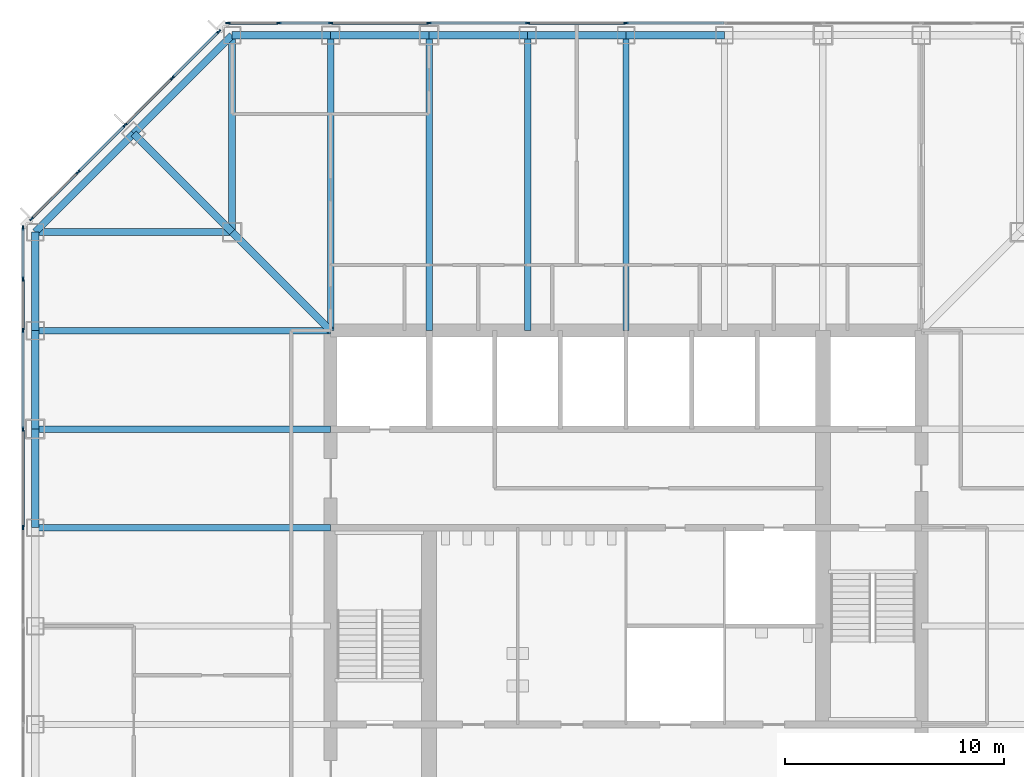
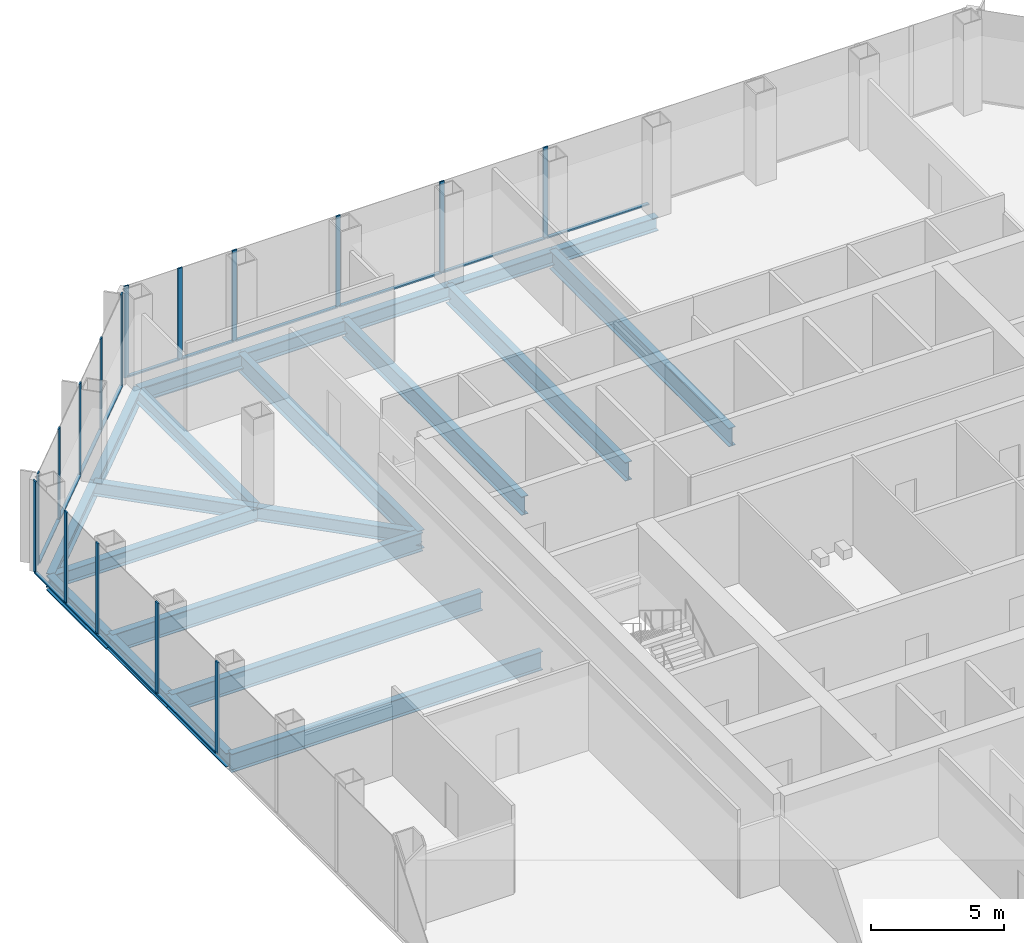
# One storey, part 5 of 13: 30 members, 21 beams, 3 elements without a shape of their own.
"""IFC4 building model written with IfcOpenShell, lengths in metres."""

import ifcopenshell
import ifcopenshell.guid

model = None  # the IFC model being written
_history = None  # IfcOwnerHistory: only IFC2X3 demands one
_inside = {}  # id of a spatial element -> (the spatial element, [elements in it])
_under = {}  # id of a project, library or spatial element -> (it, [spatial elements below it])
_declared = {}  # id of a project -> (the project, [libraries it declares])
_typed = {}  # id of a type object -> (the type object, [elements of that type])
_made_of = {}  # id of a material, layer set ... -> (it, [elements and type objects made of it])


def new_model(schema):
    """Start an empty IFC model of exactly this schema.

    Asked for "IFC4X3", IfcOpenShell would pick the latest addendum, in which some entities
    have other attributes; the version numbers below select the first issue.
    IFC2X3 requires an IfcOwnerHistory on every rooted entity: one is made here for all.
    """
    global model, _history
    if schema == "IFC4X3":
        model = ifcopenshell.file(schema_version=(4, 3, 0, 0))
    else:
        model = ifcopenshell.file(schema=schema)
    _inside.clear()
    _under.clear()
    _declared.clear()
    _typed.clear()
    _made_of.clear()
    _history = None
    if model.schema == "IFC2X3":
        org = make("IfcOrganization", Name="unknown")
        user = make(
            "IfcPersonAndOrganization",
            ThePerson=make("IfcPerson", FamilyName="unknown"),
            TheOrganization=org,
        )
        app = make(
            "IfcApplication",
            ApplicationDeveloper=org,
            Version="unknown",
            ApplicationFullName="unknown",
            ApplicationIdentifier="unknown",
        )
        _history = make(
            "IfcOwnerHistory",
            OwningUser=user,
            OwningApplication=app,
            ChangeAction="ADDED",
            CreationDate=0,
        )
    return model


def make(cls, **values):
    """One entity of the class cls with the attributes given. An attribute that is None is left unset."""
    return model.create_entity(
        cls, **{name: value for name, value in values.items() if value is not None}
    )


def rooted(cls, **values):
    """An entity with a GlobalId (a new one), such as an element, a storey or a relation."""
    return make(cls, GlobalId=ifcopenshell.guid.new(), OwnerHistory=_history, **values)


def si_unit(unit_type, name, prefix=None):
    """IfcSIUnit, for example si_unit("LENGTHUNIT", "METRE", prefix="MILLI")."""
    return make("IfcSIUnit", UnitType=unit_type, Prefix=prefix, Name=name)


def assignment(units):
    """IfcUnitAssignment: the units of a project."""
    return None if units is None else make("IfcUnitAssignment", Units=units)


def point(xyz):
    """IfcCartesianPoint."""
    return None if xyz is None else make("IfcCartesianPoint", Coordinates=xyz)


def direction(xyz):
    """IfcDirection."""
    return None if xyz is None else make("IfcDirection", DirectionRatios=xyz)


def frame(location, z_axis=None, x_axis=None):
    """IfcAxis2Placement3D, a coordinate frame: its origin and axes. An axis left out is left unset."""
    return make(
        "IfcAxis2Placement3D",
        Location=point(location),
        Axis=direction(z_axis),
        RefDirection=direction(x_axis),
    )


def frame_2d(location, x_axis=None):
    """IfcAxis2Placement2D, a coordinate frame in the plane: its origin and x axis."""
    return make(
        "IfcAxis2Placement2D", Location=point(location), RefDirection=direction(x_axis)
    )


def origin():
    """The frame at (0, 0, 0) with its axes left unset."""
    return frame((0.0, 0.0, 0.0))


def origin_2d():
    """The frame at (0, 0) in the plane with its x axis left unset."""
    return frame_2d((0.0, 0.0))


def place(relative_to, where):
    """IfcLocalPlacement: puts the frame where relative to a parent placement (None: the world)."""
    return make(
        "IfcLocalPlacement", PlacementRelTo=relative_to, RelativePlacement=where
    )


def context(
    kind, dimensions, precision=None, world=None, true_north=None, identifier=None
):
    """IfcGeometricRepresentationContext, for example the 3D "Model" context."""
    return make(
        "IfcGeometricRepresentationContext",
        ContextIdentifier=identifier,
        ContextType=kind,
        CoordinateSpaceDimension=dimensions,
        Precision=precision,
        WorldCoordinateSystem=world,
        TrueNorth=true_north,
    )


def subcontext(parent, identifier, kind, view, scale=None):
    """IfcGeometricRepresentationSubContext, for example "Body" below "Model"."""
    return make(
        "IfcGeometricRepresentationSubContext",
        ContextIdentifier=identifier,
        ContextType=kind,
        ParentContext=parent,
        TargetScale=scale,
        TargetView=view,
    )


def project(units=None, contexts=None):
    """IfcProject with its units and contexts."""
    return rooted(
        "IfcProject",
        Name="project",
        RepresentationContexts=contexts,
        UnitsInContext=assignment(units),
    )


def spatial(cls, under=None, at=None, **own):
    """A site, building, storey or space (cls), placed at a placement, below another one or the project."""
    s = rooted(cls, ObjectPlacement=at, **own)
    if under is not None:
        _under.setdefault(under.id(), (under, []))[1].append(s)
    return s


def profile(cls, at=None, kind="AREA", **sizes):
    """A parametric profile (cls). Its sizes go by their IFC names, for example OverallWidth=200.0."""
    return make(cls, ProfileType=kind, Position=at, **sizes)


def rectangle(**sizes):
    """IfcRectangleProfileDef."""
    return profile("IfcRectangleProfileDef", **sizes)


def i_section(**sizes):
    """IfcIShapeProfileDef."""
    return profile("IfcIShapeProfileDef", **sizes)


def extrude(swept, where, along, depth):
    """IfcExtrudedAreaSolid: the profile swept, set in the frame where, extruded along a direction by depth."""
    return make(
        "IfcExtrudedAreaSolid",
        SweptArea=swept,
        Position=where,
        ExtrudedDirection=direction(along),
        Depth=depth,
    )


def shape(context_of_items, identifier, shape_type, items):
    """IfcShapeRepresentation: the items that make up one representation, for example the "Body"."""
    return make(
        "IfcShapeRepresentation",
        ContextOfItems=context_of_items,
        RepresentationIdentifier=identifier,
        RepresentationType=shape_type,
        Items=items,
    )


def material(Name=None, Category=None):
    """IfcMaterial."""
    return make("IfcMaterial", Name=Name, Category=Category)


def material_profile(
    of_material, cross_section, Name=None, Category=None, Priority=None
):
    """IfcMaterialProfile: a cross section and its material."""
    return make(
        "IfcMaterialProfile",
        Name=Name,
        Material=of_material,
        Profile=cross_section,
        Priority=Priority,
        Category=Category,
    )


def profile_set(profiles, Name=None, composite=None):
    """IfcMaterialProfileSet."""
    return make(
        "IfcMaterialProfileSet",
        Name=Name,
        MaterialProfiles=profiles,
        CompositeProfile=composite,
    )


def made_of(thing, what):
    """Note that an element or type object is made of a material, layer set ...; save() writes the relation."""
    if what is not None:
        _made_of.setdefault(what.id(), (what, []))[1].append(thing)
    return thing


def type_object(cls, material=None, **own):
    """A type object (cls), such as IfcWallType, which elements share."""
    return made_of(rooted(cls, **own), material)


def element(
    cls,
    number,
    at=None,
    inside=None,
    cuts=None,
    type_object=None,
    material=None,
    context=None,
    identifier="Body",
    shape_type=None,
    held_by="IfcProductDefinitionShape",
    body=None,
    shapes=None,
    **own,
):
    """One element of the class cls, such as IfcWall. Its Tag is "e" and its number.

    at: its placement. inside: the storey or other place that contains it. cuts: it is an
    opening in that element (IfcRelVoidsElement). A single representation is given by context,
    identifier, shape_type and body (its items); several are given by shapes. held_by: the class
    of the entity that holds the representations. save() writes the other relations.
    """
    e = rooted(cls, Tag="e%d" % number, ObjectPlacement=at, **own)
    if body is not None:
        shapes = [shape(context, identifier, shape_type, body)]
    if shapes is not None:
        e.Representation = make(held_by, Representations=shapes)
    if inside is not None:
        _inside.setdefault(inside.id(), (inside, []))[1].append(e)
    if cuts is not None:
        rooted(
            "IfcRelVoidsElement", RelatingBuildingElement=cuts, RelatedOpeningElement=e
        )
    if type_object is not None:
        _typed.setdefault(type_object.id(), (type_object, []))[1].append(e)
    return made_of(e, material)


def aggregate(whole, parts):
    """IfcRelAggregates: a whole, such as a stair, and the parts it consists of."""
    return rooted("IfcRelAggregates", RelatingObject=whole, RelatedObjects=parts)


def save(model, path):
    """Write the relations noted so far, then the file.

    IfcRelAggregates (storeys below a building ...), IfcRelContainedInSpatialStructure (elements
    in a storey), IfcRelDefinesByType, IfcRelAssociatesMaterial and IfcRelDeclares: one each for
    every whole, place, type object, material and project.
    """
    for whole, parts in _under.values():
        aggregate(whole, parts)
    for where, things in _inside.values():
        rooted(
            "IfcRelContainedInSpatialStructure",
            RelatedElements=things,
            RelatingStructure=where,
        )
    for kind, things in _typed.values():
        rooted("IfcRelDefinesByType", RelatedObjects=things, RelatingType=kind)
    for what, things in _made_of.values():
        rooted("IfcRelAssociatesMaterial", RelatedObjects=things, RelatingMaterial=what)
    for by, libraries in _declared.values():
        rooted("IfcRelDeclares", RelatingContext=by, RelatedDefinitions=libraries)
    model.write(path)


model = new_model("IFC4")

# Units and contexts
model_context = context("Model", 3, precision=1e-05, world=origin(), true_north=direction((0.0, 1.0)))
body_context = subcontext(model_context, "Body", "Model", "MODEL_VIEW")
ifc_project = project(units=[si_unit("LENGTHUNIT", "METRE"), si_unit("AREAUNIT", "SQUARE_METRE"), si_unit("VOLUMEUNIT", "CUBIC_METRE"), si_unit("PLANEANGLEUNIT", "RADIAN"), si_unit("MASSUNIT", "GRAM", prefix="KILO")], contexts=[model_context])

# Site, building, storey
site_placement = place(None, origin())
site = spatial("IfcSite", under=ifc_project, at=site_placement, CompositionType="ELEMENT")
building_placement = place(site_placement, origin())
building = spatial("IfcBuilding", under=site, at=building_placement, Name="Corais Broadcast Tower", CompositionType="ELEMENT")
storey_placement = place(building_placement, frame((0.0, 0.0, 66.800048828125)))
storey = spatial("IfcBuildingStorey", under=building, at=storey_placement, Name="L14", CompositionType="ELEMENT", Elevation=66.800048828125)

# Beams
ifc_material_1 = material(Name="Steel ASTM A572 Grade 50", Category="steel")
ifc_material_profile_1 = material_profile(ifc_material_1, i_section(OverallWidth=0.323974609375, OverallDepth=0.611083984375, WebThickness=0.0126953125, FlangeThickness=0.01904296875, at=origin_2d()), Name="W610x155")
ifc_profile_set_1 = profile_set([ifc_material_profile_1], Name="Steel ASTM A572 Grade 50")
beam_type_1 = type_object("IfcBeamType", Name="Chamfer tie W610x155", PredefinedType="BEAM", material=ifc_profile_set_1)
beam_1_placement = place(storey_placement, frame((4.5, 49.5, -0.465576171875), z_axis=(0.707106781187, -0.707106781187, 0.0), x_axis=(0.707106781187, 0.707106781187, 0.0)))
element("IfcBeam", 1, at=beam_1_placement, inside=storey, type_object=beam_type_1, Name="B5 M/4 to L/5", PredefinedType="BEAM", context=body_context, shape_type="SweptSolid", body=[
    extrude(i_section(OverallWidth=0.323974609375, OverallDepth=0.611083984375, WebThickness=0.0126953125, FlangeThickness=0.01904296875, at=origin_2d()), origin(), (0.0, 0.0, 1.0), 6.364013671875),
])
ifc_material_2 = material(Name="Steel ASTM A572 Grade 50", Category="steel")
ifc_material_profile_2 = material_profile(ifc_material_2, i_section(OverallWidth=0.323974609375, OverallDepth=0.611083984375, WebThickness=0.0126953125, FlangeThickness=0.01904296875, at=origin_2d()), Name="W610x155")
ifc_profile_set_2 = profile_set([ifc_material_profile_2], Name="Steel ASTM A572 Grade 50")
beam_type_2 = type_object("IfcBeamType", Name="Corner diagonal W610x155", PredefinedType="BEAM", material=ifc_profile_set_2)
beam_2_placement = place(storey_placement, frame((9.0, 45.0, -0.465576171875), z_axis=(0.707106781187, -0.707106781187, 0.0), x_axis=(0.707106781187, 0.707106781187, 0.0)))
element("IfcBeam", 2, at=beam_2_placement, inside=storey, type_object=beam_type_2, Name="B6 L/5 to K/6", PredefinedType="BEAM", context=body_context, shape_type="SweptSolid", body=[
    extrude(i_section(OverallWidth=0.323974609375, OverallDepth=0.611083984375, WebThickness=0.0126953125, FlangeThickness=0.01904296875, at=origin_2d()), origin(), (0.0, 0.0, 1.0), 6.364013671875),
])
ifc_material_3 = material(Name="Steel ASTM A572 Grade 50", Category="steel")
ifc_material_profile_3 = material_profile(ifc_material_3, i_section(OverallWidth=0.323974609375, OverallDepth=0.611083984375, WebThickness=0.0126953125, FlangeThickness=0.01904296875, at=origin_2d()), Name="W610x155")
ifc_profile_set_3 = profile_set([ifc_material_profile_3], Name="Steel ASTM A572 Grade 50")
beam_type_3 = type_object("IfcBeamType", Name="Corner girder W610x155", PredefinedType="BEAM", material=ifc_profile_set_3)
for number, where, z_axis, x_axis, name in (
    (3, (0.0, 45.0, -0.465576171875), (1.0, 0.0, 0.0), (0.0, 1.0, 0.0), "B4 L/3 to L/5"),
    (4, (9.0, 54.0, -0.465576171875), (0.0, -1.0, 0.0), (1.0, 0.0, 0.0), "B4 N/5 to L/5"),
):
    element("IfcBeam", number, at=place(storey_placement, frame(where, z_axis=z_axis, x_axis=x_axis)), inside=storey, type_object=beam_type_3, Name=name, PredefinedType="BEAM", context=body_context, shape_type="SweptSolid", body=[
        extrude(i_section(OverallWidth=0.323974609375, OverallDepth=0.611083984375, WebThickness=0.0126953125, FlangeThickness=0.01904296875, at=origin_2d()), origin(), (0.0, 0.0, 1.0), 9.0),
    ])
ifc_material_4 = material(Name="Steel ASTM A572 Grade 50", Category="steel")
ifc_material_profile_4 = material_profile(ifc_material_4, i_section(OverallWidth=0.337890625, OverallDepth=0.677978515625, WebThickness=0.029541015625, FlangeThickness=0.052978515625, at=origin_2d()), Name="W610x415")
ifc_profile_set_4 = profile_set([ifc_material_profile_4], Name="Steel ASTM A572 Grade 50")
beam_type_4 = type_object("IfcBeamType", Name="Corner spandrel W610x415", PredefinedType="BEAM", material=ifc_profile_set_4)
for number, where, z_axis, x_axis, name in (
    (5, (0.0, 45.0, -0.4990234375), (0.0, -1.0, 0.0), (1.0, 0.0, 0.0), "SB10 L/3 to K/3"),
    (6, (13.5, 54.0, -0.4990234375), (-1.0, 0.0, 0.0), (0.0, -1.0, 0.0), "SB10 N/6 to N/5"),
):
    element("IfcBeam", number, at=place(storey_placement, frame(where, z_axis=z_axis, x_axis=x_axis)), inside=storey, type_object=beam_type_4, Name=name, PredefinedType="BEAM", context=body_context, shape_type="SweptSolid", body=[
        extrude(i_section(OverallWidth=0.337890625, OverallDepth=0.677978515625, WebThickness=0.029541015625, FlangeThickness=0.052978515625, at=origin_2d()), origin(), (0.0, 0.0, 1.0), 4.5),
    ])
ifc_material_5 = material(Name="Steel ASTM A572 Grade 50", Category="steel")
ifc_material_profile_5 = material_profile(ifc_material_5, i_section(OverallWidth=0.2939453125, OverallDepth=0.85107421875, WebThickness=0.01611328125, FlangeThickness=0.02685546875, at=origin_2d()), Name="W840x226")
ifc_profile_set_5 = profile_set([ifc_material_profile_5], Name="Steel ASTM A572 Grade 50")
beam_type_5 = type_object("IfcBeamType", Name="Floor beam W840x226", PredefinedType="BEAM", material=ifc_profile_set_5)
for number, where, z_axis, x_axis, name in (
    (7, (0.0, 31.5, -0.58544921875), (1.0, 0.0, 0.0), (0.0, 1.0, 0.0), "B1 H/3 to H/6"),
    (8, (0.0, 36.0, -0.58544921875), (1.0, 0.0, 0.0), (0.0, 1.0, 0.0), "B1 J/3 to J/6"),
    (9, (0.0, 40.5, -0.58544921875), (1.0, 0.0, 0.0), (0.0, 1.0, 0.0), "B1 K/3 to K/6"),
    (10, (13.5, 54.0, -0.58544921875), (0.0, -1.0, 0.0), (1.0, 0.0, 0.0), "B1 N/6 to K/6"),
    (11, (18.0, 54.0, -0.58544921875), (0.0, -1.0, 0.0), (1.0, 0.0, 0.0), "B1 N/7 to K/7"),
    (12, (22.5, 54.0, -0.58544921875), (0.0, -1.0, 0.0), (1.0, 0.0, 0.0), "B1 N/8 to K/8"),
    (13, (27.0, 54.0, -0.58544921875), (0.0, -1.0, 0.0), (1.0, 0.0, 0.0), "B1 N/9 to K/9"),
):
    element("IfcBeam", number, at=place(storey_placement, frame(where, z_axis=z_axis, x_axis=x_axis)), inside=storey, type_object=beam_type_5, Name=name, PredefinedType="BEAM", context=body_context, shape_type="SweptSolid", body=[
        extrude(i_section(OverallWidth=0.2939453125, OverallDepth=0.85107421875, WebThickness=0.01611328125, FlangeThickness=0.02685546875, at=origin_2d()), origin(), (0.0, 0.0, 1.0), 13.5),
    ])

# Curtain wall, members
ifc_material_6 = material(Name="Aluminium and glass", Category="aluminium")
curtain_wall_type = type_object("IfcCurtainWallType", Name="Unitised fritted curtain wall CW1", PredefinedType="NOTDEFINED", material=ifc_material_6)
curtain_wall_1_placement = place(storey_placement, origin())
curtain_wall_1 = element("IfcCurtainWall", 14, at=curtain_wall_1_placement, inside=storey, type_object=curtain_wall_type, Name="CW1 curtain wall L14 2", PredefinedType="NOTDEFINED")
ifc_material_7 = material(Name="Aluminium 6063-T6", Category="aluminium")
ifc_material_profile_6 = material_profile(ifc_material_7, rectangle(XDim=0.06494140625, YDim=0.199951171875, at=origin_2d()), Name="Mullion CW1 65x200")
ifc_profile_set_6 = profile_set([ifc_material_profile_6], Name="Aluminium 6063-T6")
member_type_1 = type_object("IfcMemberType", Name="Mullion CW1 65x200", PredefinedType="MULLION", material=ifc_profile_set_6)
member_1_placement = place(storey_placement, frame((-0.550048828125, 31.5, 0.0), z_axis=(0.0, 0.0, 1.0), x_axis=(-1.0, 0.0, 0.0)))
member_1 = element("IfcMember", 15, at=member_1_placement, type_object=member_type_1, Name="CW1 mullion 7", PredefinedType="MULLION", context=body_context, shape_type="SweptSolid", body=[
    extrude(rectangle(XDim=0.06494140625, YDim=0.199951171875, at=origin_2d()), origin(), (0.0, 0.0, 1.0), 4.199951171875),
])
member_2_placement = place(storey_placement, frame((-0.550048828125, 36.0, 0.0), z_axis=(0.0, 0.0, 1.0), x_axis=(-1.0, 0.0, 0.0)))
member_2 = element("IfcMember", 16, at=member_2_placement, type_object=member_type_1, Name="CW1 mullion 8", PredefinedType="MULLION", context=body_context, shape_type="SweptSolid", body=[
    extrude(rectangle(XDim=0.06494140625, YDim=0.199951171875, at=origin_2d()), origin(), (0.0, 0.0, 1.0), 4.199951171875),
])
member_3_placement = place(storey_placement, frame((-0.550048828125, 40.5, 0.0), z_axis=(0.0, 0.0, 1.0), x_axis=(-1.0, 0.0, 0.0)))
member_3 = element("IfcMember", 17, at=member_3_placement, type_object=member_type_1, Name="CW1 mullion 9", PredefinedType="MULLION", context=body_context, shape_type="SweptSolid", body=[
    extrude(rectangle(XDim=0.06494140625, YDim=0.199951171875, at=origin_2d()), origin(), (0.0, 0.0, 1.0), 4.199951171875),
])
member_4_placement = place(storey_placement, frame((-0.550048828125, 42.864013671875, 0.0), z_axis=(0.0, 0.0, 1.0), x_axis=(-1.0, 0.0, 0.0)))
member_4 = element("IfcMember", 18, at=member_4_placement, type_object=member_type_1, Name="CW1 mullion 10", PredefinedType="MULLION", context=body_context, shape_type="SweptSolid", body=[
    extrude(rectangle(XDim=0.06494140625, YDim=0.199951171875, at=origin_2d()), origin(), (0.0, 0.0, 1.0), 4.199951171875),
])
member_5_placement = place(storey_placement, frame((-0.550048828125, 45.1953125, 0.0), z_axis=(0.0, 0.0, 1.0), x_axis=(-1.0, 0.0, 0.0)))
member_5 = element("IfcMember", 19, at=member_5_placement, type_object=member_type_1, Name="CW1 mullion 11", PredefinedType="MULLION", context=body_context, shape_type="SweptSolid", body=[
    extrude(rectangle(XDim=0.06494140625, YDim=0.199951171875, at=origin_2d()), origin(), (0.0, 0.0, 1.0), 4.199951171875),
])

curtain_wall_2_placement = place(storey_placement, origin())
curtain_wall_2 = element("IfcCurtainWall", 20, at=curtain_wall_2_placement, inside=storey, type_object=curtain_wall_type, Name="CW1 curtain wall L14 3", PredefinedType="NOTDEFINED")
member_6_placement = place(storey_placement, frame((-0.17333984375, 45.6044921875, 0.0), z_axis=(0.0, 0.0, 1.0), x_axis=(-0.707106781187, 0.707106781187, 0.0)))
member_6 = element("IfcMember", 21, at=member_6_placement, type_object=member_type_1, Name="CW1 mullion 1", PredefinedType="MULLION", context=body_context, shape_type="SweptSolid", body=[
    extrude(rectangle(XDim=0.06494140625, YDim=0.199951171875, at=origin_2d()), origin(), (0.0, 0.0, 1.0), 4.199951171875),
])
member_7_placement = place(storey_placement, frame((1.957275390625, 47.735107421875, 0.0), z_axis=(0.0, 0.0, 1.0), x_axis=(-0.707106781187, 0.707106781187, 0.0)))
member_7 = element("IfcMember", 22, at=member_7_placement, type_object=member_type_1, Name="CW1 mullion 2", PredefinedType="MULLION", context=body_context, shape_type="SweptSolid", body=[
    extrude(rectangle(XDim=0.06494140625, YDim=0.199951171875, at=origin_2d()), origin(), (0.0, 0.0, 1.0), 4.199951171875),
])
member_8_placement = place(storey_placement, frame((4.111083984375, 49.888916015625, 0.0), z_axis=(0.0, 0.0, 1.0), x_axis=(-0.707106781187, 0.707106781187, 0.0)))
member_8 = element("IfcMember", 23, at=member_8_placement, type_object=member_type_1, Name="CW1 mullion 3", PredefinedType="MULLION", context=body_context, shape_type="SweptSolid", body=[
    extrude(rectangle(XDim=0.06494140625, YDim=0.199951171875, at=origin_2d()), origin(), (0.0, 0.0, 1.0), 4.199951171875),
])
member_9_placement = place(storey_placement, frame((6.264892578125, 52.042724609375, 0.0), z_axis=(0.0, 0.0, 1.0), x_axis=(-0.707106781187, 0.707106781187, 0.0)))
member_9 = element("IfcMember", 24, at=member_9_placement, type_object=member_type_1, Name="CW1 mullion 4", PredefinedType="MULLION", context=body_context, shape_type="SweptSolid", body=[
    extrude(rectangle(XDim=0.06494140625, YDim=0.199951171875, at=origin_2d()), origin(), (0.0, 0.0, 1.0), 4.199951171875),
])
member_10_placement = place(storey_placement, frame((8.3955078125, 54.17333984375, 0.0), z_axis=(0.0, 0.0, 1.0), x_axis=(-0.707106781187, 0.707106781187, 0.0)))
member_10 = element("IfcMember", 25, at=member_10_placement, type_object=member_type_1, Name="CW1 mullion 5", PredefinedType="MULLION", context=body_context, shape_type="SweptSolid", body=[
    extrude(rectangle(XDim=0.06494140625, YDim=0.199951171875, at=origin_2d()), origin(), (0.0, 0.0, 1.0), 4.199951171875),
])

curtain_wall_3_placement = place(storey_placement, origin())
curtain_wall_3 = element("IfcCurtainWall", 26, at=curtain_wall_3_placement, inside=storey, type_object=curtain_wall_type, Name="CW1 curtain wall L14 4", PredefinedType="NOTDEFINED")
member_11_placement = place(storey_placement, frame((8.8046875, 54.550048828125, 0.0), z_axis=(0.0, 0.0, 1.0), x_axis=(0.0, 1.0, 0.0)))
member_11 = element("IfcMember", 27, at=member_11_placement, type_object=member_type_1, Name="CW1 mullion 1", PredefinedType="MULLION", context=body_context, shape_type="SweptSolid", body=[
    extrude(rectangle(XDim=0.06494140625, YDim=0.199951171875, at=origin_2d()), origin(), (0.0, 0.0, 1.0), 4.199951171875),
])
member_12_placement = place(storey_placement, frame((11.135986328125, 54.550048828125, 0.0), z_axis=(0.0, 0.0, 1.0), x_axis=(0.0, 1.0, 0.0)))
member_12 = element("IfcMember", 28, at=member_12_placement, type_object=member_type_1, Name="CW1 mullion 2", PredefinedType="MULLION", context=body_context, shape_type="SweptSolid", body=[
    extrude(rectangle(XDim=0.06494140625, YDim=0.199951171875, at=origin_2d()), origin(), (0.0, 0.0, 1.0), 4.199951171875),
])
member_13_placement = place(storey_placement, frame((13.5, 54.550048828125, 0.0), z_axis=(0.0, 0.0, 1.0), x_axis=(0.0, 1.0, 0.0)))
member_13 = element("IfcMember", 29, at=member_13_placement, type_object=member_type_1, Name="CW1 mullion 3", PredefinedType="MULLION", context=body_context, shape_type="SweptSolid", body=[
    extrude(rectangle(XDim=0.06494140625, YDim=0.199951171875, at=origin_2d()), origin(), (0.0, 0.0, 1.0), 4.199951171875),
])
member_14_placement = place(storey_placement, frame((18.0, 54.550048828125, 0.0), z_axis=(0.0, 0.0, 1.0), x_axis=(0.0, 1.0, 0.0)))
member_14 = element("IfcMember", 30, at=member_14_placement, type_object=member_type_1, Name="CW1 mullion 4", PredefinedType="MULLION", context=body_context, shape_type="SweptSolid", body=[
    extrude(rectangle(XDim=0.06494140625, YDim=0.199951171875, at=origin_2d()), origin(), (0.0, 0.0, 1.0), 4.199951171875),
])
member_15_placement = place(storey_placement, frame((22.5, 54.550048828125, 0.0), z_axis=(0.0, 0.0, 1.0), x_axis=(0.0, 1.0, 0.0)))
member_15 = element("IfcMember", 31, at=member_15_placement, type_object=member_type_1, Name="CW1 mullion 5", PredefinedType="MULLION", context=body_context, shape_type="SweptSolid", body=[
    extrude(rectangle(XDim=0.06494140625, YDim=0.199951171875, at=origin_2d()), origin(), (0.0, 0.0, 1.0), 4.199951171875),
])
member_16_placement = place(storey_placement, frame((27.0, 54.550048828125, 0.0), z_axis=(0.0, 0.0, 1.0), x_axis=(0.0, 1.0, 0.0)))
member_16 = element("IfcMember", 32, at=member_16_placement, type_object=member_type_1, Name="CW1 mullion 6", PredefinedType="MULLION", context=body_context, shape_type="SweptSolid", body=[
    extrude(rectangle(XDim=0.06494140625, YDim=0.199951171875, at=origin_2d()), origin(), (0.0, 0.0, 1.0), 4.199951171875),
])

# Beams
ifc_material_8 = material(Name="Steel ASTM A572 Grade 50", Category="steel")
ifc_material_profile_7 = material_profile(ifc_material_8, i_section(OverallWidth=0.3291015625, OverallDepth=0.635009765625, WebThickness=0.017822265625, FlangeThickness=0.031005859375, at=origin_2d()), Name="W610x241")
ifc_profile_set_7 = profile_set([ifc_material_profile_7], Name="Steel ASTM A572 Grade 50")
beam_type_6 = type_object("IfcBeamType", Name="Spandrel W610x241", PredefinedType="BEAM", material=ifc_profile_set_7)
for number, where, z_axis, x_axis, name in (
    (33, (0.0, 36.0, -0.4775390625), (0.0, -1.0, 0.0), (1.0, 0.0, 0.0), "SB1 J/3 to H/3"),
    (34, (0.0, 40.5, -0.4775390625), (0.0, -1.0, 0.0), (1.0, 0.0, 0.0), "SB1 K/3 to J/3"),
    (35, (18.0, 54.0, -0.4775390625), (-1.0, 0.0, 0.0), (0.0, -1.0, 0.0), "SB1 N/7 to N/6"),
    (36, (22.5, 54.0, -0.4775390625), (-1.0, 0.0, 0.0), (0.0, -1.0, 0.0), "SB1 N/8 to N/7"),
    (37, (27.0, 54.0, -0.4775390625), (-1.0, 0.0, 0.0), (0.0, -1.0, 0.0), "SB1 N/9 to N/8"),
    (38, (31.5, 54.0, -0.4775390625), (-1.0, 0.0, 0.0), (0.0, -1.0, 0.0), "SB1 N/10 to N/9"),
):
    element("IfcBeam", number, at=place(storey_placement, frame(where, z_axis=z_axis, x_axis=x_axis)), inside=storey, type_object=beam_type_6, Name=name, PredefinedType="BEAM", context=body_context, shape_type="SweptSolid", body=[
        extrude(i_section(OverallWidth=0.3291015625, OverallDepth=0.635009765625, WebThickness=0.017822265625, FlangeThickness=0.031005859375, at=origin_2d()), origin(), (0.0, 0.0, 1.0), 4.5),
    ])
for number, where, z_axis, x_axis, name in (
    (39, (4.5, 49.5, -0.4775390625), (-0.707106781187, -0.707106781187, 0.0), (0.707106781187, -0.707106781187, 0.0), "SB1 M/4 to L/3"),
    (40, (9.0, 54.0, -0.4775390625), (-0.707106781187, -0.707106781187, 0.0), (0.707106781187, -0.707106781187, 0.0), "SB1 N/5 to M/4"),
):
    element("IfcBeam", number, at=place(storey_placement, frame(where, z_axis=z_axis, x_axis=x_axis)), inside=storey, type_object=beam_type_6, Name=name, PredefinedType="BEAM", context=body_context, shape_type="SweptSolid", body=[
        extrude(i_section(OverallWidth=0.3291015625, OverallDepth=0.635009765625, WebThickness=0.017822265625, FlangeThickness=0.031005859375, at=origin_2d()), origin(), (0.0, 0.0, 1.0), 6.364013671875),
    ])

# Member
ifc_material_9 = material(Name="Aluminium 6063-T6", Category="aluminium")
ifc_material_profile_8 = material_profile(ifc_material_9, rectangle(XDim=0.139892578125, YDim=0.06494140625, at=origin_2d()), Name="Transom CW1 65x140")
ifc_profile_set_8 = profile_set([ifc_material_profile_8], Name="Aluminium 6063-T6")
member_type_2 = type_object("IfcMemberType", Name="Transom CW1 65x140", PredefinedType="USERDEFINED", material=ifc_profile_set_8)
member_17_placement = place(storey_placement, frame((-0.550048828125, 31.532470703125, 0.032470703125), z_axis=(0.0, 1.0, 0.0), x_axis=(-1.0, 0.0, 0.0)))
member_17 = element("IfcMember", 41, at=member_17_placement, type_object=member_type_2, Name="CW1 transom 7.1", ObjectType="TRANSOM", PredefinedType="USERDEFINED", context=body_context, shape_type="SweptSolid", body=[
    extrude(rectangle(XDim=0.139892578125, YDim=0.06494140625, at=origin_2d()), origin(), (0.0, 0.0, 1.0), 4.43505859375),
])

member_18_placement = place(storey_placement, frame((-0.550048828125, 36.032470703125, 0.032470703125), z_axis=(0.0, 1.0, 0.0), x_axis=(-1.0, 0.0, 0.0)))
member_18 = element("IfcMember", 42, at=member_18_placement, type_object=member_type_2, Name="CW1 transom 8.1", ObjectType="TRANSOM", PredefinedType="USERDEFINED", context=body_context, shape_type="SweptSolid", body=[
    extrude(rectangle(XDim=0.139892578125, YDim=0.06494140625, at=origin_2d()), origin(), (0.0, 0.0, 1.0), 4.43505859375),
])

member_19_placement = place(storey_placement, frame((-0.550048828125, 40.532470703125, 0.032470703125), z_axis=(0.0, 1.0, 0.0), x_axis=(-1.0, 0.0, 0.0)))
member_19 = element("IfcMember", 43, at=member_19_placement, type_object=member_type_2, Name="CW1 transom 9.1", ObjectType="TRANSOM", PredefinedType="USERDEFINED", context=body_context, shape_type="SweptSolid", body=[
    extrude(rectangle(XDim=0.139892578125, YDim=0.06494140625, at=origin_2d()), origin(), (0.0, 0.0, 1.0), 2.298828125),
])

member_20_placement = place(storey_placement, frame((-0.550048828125, 42.896484375, 0.032470703125), z_axis=(0.0, 1.0, 0.0), x_axis=(-1.0, 0.0, 0.0)))
member_20 = element("IfcMember", 44, at=member_20_placement, type_object=member_type_2, Name="CW1 transom 10.1", ObjectType="TRANSOM", PredefinedType="USERDEFINED", context=body_context, shape_type="SweptSolid", body=[
    extrude(rectangle(XDim=0.139892578125, YDim=0.06494140625, at=origin_2d()), origin(), (0.0, 0.0, 1.0), 2.266357421875),
])

aggregate(curtain_wall_1, [member_1, member_2, member_3, member_4, member_5, member_17, member_18, member_19, member_20])

member_21_placement = place(storey_placement, frame((-0.150390625, 45.62744140625, 0.032470703125), z_axis=(0.707106781187, 0.707106781187, 0.0), x_axis=(-0.707106781187, 0.707106781187, 0.0)))
member_21 = element("IfcMember", 45, at=member_21_placement, type_object=member_type_2, Name="CW1 transom 1.1", ObjectType="TRANSOM", PredefinedType="USERDEFINED", context=body_context, shape_type="SweptSolid", body=[
    extrude(rectangle(XDim=0.139892578125, YDim=0.06494140625, at=origin_2d()), origin(), (0.0, 0.0, 1.0), 2.9482421875),
])

member_22_placement = place(storey_placement, frame((1.980224609375, 47.758056640625, 0.032470703125), z_axis=(0.707106781187, 0.707106781187, 0.0), x_axis=(-0.707106781187, 0.707106781187, 0.0)))
member_22 = element("IfcMember", 46, at=member_22_placement, type_object=member_type_2, Name="CW1 transom 2.1", ObjectType="TRANSOM", PredefinedType="USERDEFINED", context=body_context, shape_type="SweptSolid", body=[
    extrude(rectangle(XDim=0.139892578125, YDim=0.06494140625, at=origin_2d()), origin(), (0.0, 0.0, 1.0), 2.98095703125),
])

member_23_placement = place(storey_placement, frame((4.134033203125, 49.911865234375, 0.032470703125), z_axis=(0.707106781187, 0.707106781187, 0.0), x_axis=(-0.707106781187, 0.707106781187, 0.0)))
member_23 = element("IfcMember", 47, at=member_23_placement, type_object=member_type_2, Name="CW1 transom 3.1", ObjectType="TRANSOM", PredefinedType="USERDEFINED", context=body_context, shape_type="SweptSolid", body=[
    extrude(rectangle(XDim=0.139892578125, YDim=0.06494140625, at=origin_2d()), origin(), (0.0, 0.0, 1.0), 2.98095703125),
])

member_24_placement = place(storey_placement, frame((6.287841796875, 52.065673828125, 0.032470703125), z_axis=(0.707106781187, 0.707106781187, 0.0), x_axis=(-0.707106781187, 0.707106781187, 0.0)))
member_24 = element("IfcMember", 48, at=member_24_placement, type_object=member_type_2, Name="CW1 transom 4.1", ObjectType="TRANSOM", PredefinedType="USERDEFINED", context=body_context, shape_type="SweptSolid", body=[
    extrude(rectangle(XDim=0.139892578125, YDim=0.06494140625, at=origin_2d()), origin(), (0.0, 0.0, 1.0), 2.9482421875),
])

aggregate(curtain_wall_2, [member_6, member_7, member_8, member_9, member_10, member_21, member_22, member_23, member_24])

member_25_placement = place(storey_placement, frame((8.837158203125, 54.550048828125, 0.032470703125), z_axis=(1.0, 0.0, 0.0), x_axis=(0.0, 1.0, 0.0)))
member_25 = element("IfcMember", 49, at=member_25_placement, type_object=member_type_2, Name="CW1 transom 1.1", ObjectType="TRANSOM", PredefinedType="USERDEFINED", context=body_context, shape_type="SweptSolid", body=[
    extrude(rectangle(XDim=0.139892578125, YDim=0.06494140625, at=origin_2d()), origin(), (0.0, 0.0, 1.0), 2.266357421875),
])

member_26_placement = place(storey_placement, frame((11.168701171875, 54.550048828125, 0.032470703125), z_axis=(1.0, 0.0, 0.0), x_axis=(0.0, 1.0, 0.0)))
member_26 = element("IfcMember", 50, at=member_26_placement, type_object=member_type_2, Name="CW1 transom 2.1", ObjectType="TRANSOM", PredefinedType="USERDEFINED", context=body_context, shape_type="SweptSolid", body=[
    extrude(rectangle(XDim=0.139892578125, YDim=0.06494140625, at=origin_2d()), origin(), (0.0, 0.0, 1.0), 2.298828125),
])

member_27_placement = place(storey_placement, frame((13.532470703125, 54.550048828125, 0.032470703125), z_axis=(1.0, 0.0, 0.0), x_axis=(0.0, 1.0, 0.0)))
member_27 = element("IfcMember", 51, at=member_27_placement, type_object=member_type_2, Name="CW1 transom 3.1", ObjectType="TRANSOM", PredefinedType="USERDEFINED", context=body_context, shape_type="SweptSolid", body=[
    extrude(rectangle(XDim=0.139892578125, YDim=0.06494140625, at=origin_2d()), origin(), (0.0, 0.0, 1.0), 4.43505859375),
])

member_28_placement = place(storey_placement, frame((18.032470703125, 54.550048828125, 0.032470703125), z_axis=(1.0, 0.0, 0.0), x_axis=(0.0, 1.0, 0.0)))
member_28 = element("IfcMember", 52, at=member_28_placement, type_object=member_type_2, Name="CW1 transom 4.1", ObjectType="TRANSOM", PredefinedType="USERDEFINED", context=body_context, shape_type="SweptSolid", body=[
    extrude(rectangle(XDim=0.139892578125, YDim=0.06494140625, at=origin_2d()), origin(), (0.0, 0.0, 1.0), 4.43505859375),
])

member_29_placement = place(storey_placement, frame((22.532470703125, 54.550048828125, 0.032470703125), z_axis=(1.0, 0.0, 0.0), x_axis=(0.0, 1.0, 0.0)))
member_29 = element("IfcMember", 53, at=member_29_placement, type_object=member_type_2, Name="CW1 transom 5.1", ObjectType="TRANSOM", PredefinedType="USERDEFINED", context=body_context, shape_type="SweptSolid", body=[
    extrude(rectangle(XDim=0.139892578125, YDim=0.06494140625, at=origin_2d()), origin(), (0.0, 0.0, 1.0), 4.43505859375),
])

member_30_placement = place(storey_placement, frame((27.032470703125, 54.550048828125, 0.032470703125), z_axis=(1.0, 0.0, 0.0), x_axis=(0.0, 1.0, 0.0)))
member_30 = element("IfcMember", 54, at=member_30_placement, type_object=member_type_2, Name="CW1 transom 6.1", ObjectType="TRANSOM", PredefinedType="USERDEFINED", context=body_context, shape_type="SweptSolid", body=[
    extrude(rectangle(XDim=0.139892578125, YDim=0.06494140625, at=origin_2d()), origin(), (0.0, 0.0, 1.0), 4.43505859375),
])

aggregate(curtain_wall_3, [member_11, member_12, member_13, member_14, member_15, member_16, member_25, member_26, member_27, member_28, member_29, member_30])

save(model, "model.ifc")
